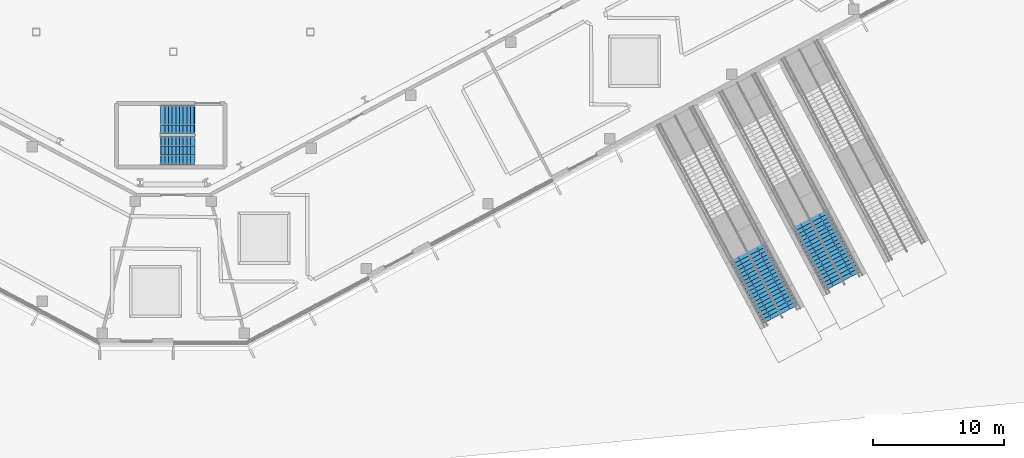
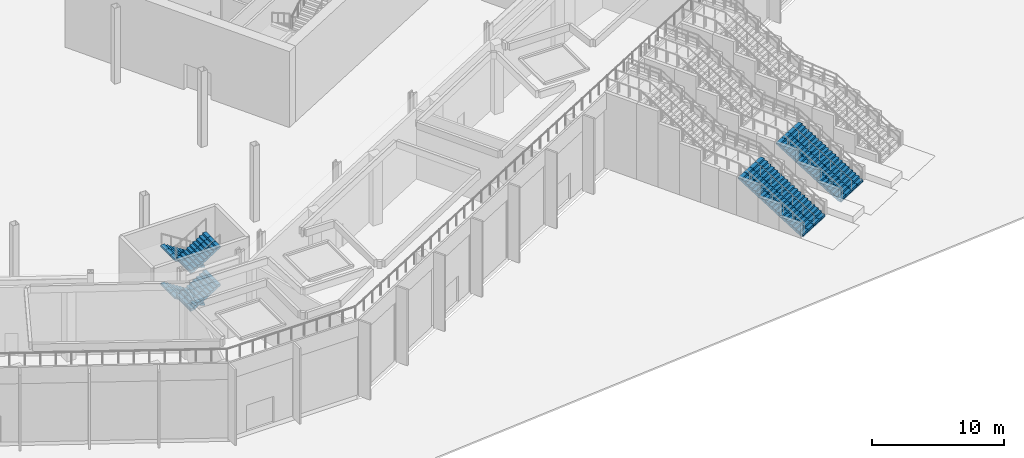
# One storey, part 34 of 57: 6 stair flights, 3 elements without a shape of their own.
"""IFC4 building model written with IfcOpenShell, lengths in metres."""

import ifcopenshell
import ifcopenshell.guid

model = None  # the IFC model being written
_history = None  # IfcOwnerHistory: only IFC2X3 demands one
_inside = {}  # id of a spatial element -> (the spatial element, [elements in it])
_under = {}  # id of a project, library or spatial element -> (it, [spatial elements below it])
_declared = {}  # id of a project -> (the project, [libraries it declares])
_typed = {}  # id of a type object -> (the type object, [elements of that type])
_made_of = {}  # id of a material, layer set ... -> (it, [elements and type objects made of it])


def new_model(schema):
    """Start an empty IFC model of exactly this schema.

    Asked for "IFC4X3", IfcOpenShell would pick the latest addendum, in which some entities
    have other attributes; the version numbers below select the first issue.
    IFC2X3 requires an IfcOwnerHistory on every rooted entity: one is made here for all.
    """
    global model, _history
    if schema == "IFC4X3":
        model = ifcopenshell.file(schema_version=(4, 3, 0, 0))
    else:
        model = ifcopenshell.file(schema=schema)
    _inside.clear()
    _under.clear()
    _declared.clear()
    _typed.clear()
    _made_of.clear()
    _history = None
    if model.schema == "IFC2X3":
        org = make("IfcOrganization", Name="unknown")
        user = make(
            "IfcPersonAndOrganization",
            ThePerson=make("IfcPerson", FamilyName="unknown"),
            TheOrganization=org,
        )
        app = make(
            "IfcApplication",
            ApplicationDeveloper=org,
            Version="unknown",
            ApplicationFullName="unknown",
            ApplicationIdentifier="unknown",
        )
        _history = make(
            "IfcOwnerHistory",
            OwningUser=user,
            OwningApplication=app,
            ChangeAction="ADDED",
            CreationDate=0,
        )
    return model


def make(cls, **values):
    """One entity of the class cls with the attributes given. An attribute that is None is left unset."""
    return model.create_entity(
        cls, **{name: value for name, value in values.items() if value is not None}
    )


def rooted(cls, **values):
    """An entity with a GlobalId (a new one), such as an element, a storey or a relation."""
    return make(cls, GlobalId=ifcopenshell.guid.new(), OwnerHistory=_history, **values)


def si_unit(unit_type, name, prefix=None):
    """IfcSIUnit, for example si_unit("LENGTHUNIT", "METRE", prefix="MILLI")."""
    return make("IfcSIUnit", UnitType=unit_type, Prefix=prefix, Name=name)


def assignment(units):
    """IfcUnitAssignment: the units of a project."""
    return None if units is None else make("IfcUnitAssignment", Units=units)


def point(xyz):
    """IfcCartesianPoint."""
    return None if xyz is None else make("IfcCartesianPoint", Coordinates=xyz)


def direction(xyz):
    """IfcDirection."""
    return None if xyz is None else make("IfcDirection", DirectionRatios=xyz)


def frame(location, z_axis=None, x_axis=None):
    """IfcAxis2Placement3D, a coordinate frame: its origin and axes. An axis left out is left unset."""
    return make(
        "IfcAxis2Placement3D",
        Location=point(location),
        Axis=direction(z_axis),
        RefDirection=direction(x_axis),
    )


def origin():
    """The frame at (0, 0, 0) with its axes left unset."""
    return frame((0.0, 0.0, 0.0))


def place(relative_to, where):
    """IfcLocalPlacement: puts the frame where relative to a parent placement (None: the world)."""
    return make(
        "IfcLocalPlacement", PlacementRelTo=relative_to, RelativePlacement=where
    )


def context(
    kind, dimensions, precision=None, world=None, true_north=None, identifier=None
):
    """IfcGeometricRepresentationContext, for example the 3D "Model" context."""
    return make(
        "IfcGeometricRepresentationContext",
        ContextIdentifier=identifier,
        ContextType=kind,
        CoordinateSpaceDimension=dimensions,
        Precision=precision,
        WorldCoordinateSystem=world,
        TrueNorth=true_north,
    )


def subcontext(parent, identifier, kind, view, scale=None):
    """IfcGeometricRepresentationSubContext, for example "Body" below "Model"."""
    return make(
        "IfcGeometricRepresentationSubContext",
        ContextIdentifier=identifier,
        ContextType=kind,
        ParentContext=parent,
        TargetScale=scale,
        TargetView=view,
    )


def project(units=None, contexts=None):
    """IfcProject with its units and contexts."""
    return rooted(
        "IfcProject",
        Name="project",
        RepresentationContexts=contexts,
        UnitsInContext=assignment(units),
    )


def spatial(cls, under=None, at=None, **own):
    """A site, building, storey or space (cls), placed at a placement, below another one or the project."""
    s = rooted(cls, ObjectPlacement=at, **own)
    if under is not None:
        _under.setdefault(under.id(), (under, []))[1].append(s)
    return s


def polyline(points):
    """IfcPolyline through the points."""
    return make("IfcPolyline", Points=[point(p) for p in points])


def outline(outer, holes=None, kind="AREA"):
    """IfcArbitraryClosedProfileDef: a profile drawn as a closed curve; with holes, ...WithVoids."""
    if holes is None:
        return make("IfcArbitraryClosedProfileDef", ProfileType=kind, OuterCurve=outer)
    return make(
        "IfcArbitraryProfileDefWithVoids",
        ProfileType=kind,
        OuterCurve=outer,
        InnerCurves=holes,
    )


def extrude(swept, where, along, depth):
    """IfcExtrudedAreaSolid: the profile swept, set in the frame where, extruded along a direction by depth."""
    return make(
        "IfcExtrudedAreaSolid",
        SweptArea=swept,
        Position=where,
        ExtrudedDirection=direction(along),
        Depth=depth,
    )


def shape(context_of_items, identifier, shape_type, items):
    """IfcShapeRepresentation: the items that make up one representation, for example the "Body"."""
    return make(
        "IfcShapeRepresentation",
        ContextOfItems=context_of_items,
        RepresentationIdentifier=identifier,
        RepresentationType=shape_type,
        Items=items,
    )


def material(Name=None, Category=None):
    """IfcMaterial."""
    return make("IfcMaterial", Name=Name, Category=Category)


def layer(
    of_material, thickness, ventilated=None, Name=None, Category=None, Priority=None
):
    """IfcMaterialLayer: one layer of a wall or slab, of a material (None: an air gap)."""
    return make(
        "IfcMaterialLayer",
        Material=of_material,
        LayerThickness=thickness,
        IsVentilated=ventilated,
        Name=Name,
        Category=Category,
        Priority=Priority,
    )


def layer_set(layers, Name=None):
    """IfcMaterialLayerSet."""
    return make("IfcMaterialLayerSet", MaterialLayers=layers, LayerSetName=Name)


def made_of(thing, what):
    """Note that an element or type object is made of a material, layer set ...; save() writes the relation."""
    if what is not None:
        _made_of.setdefault(what.id(), (what, []))[1].append(thing)
    return thing


def type_object(cls, material=None, **own):
    """A type object (cls), such as IfcWallType, which elements share."""
    return made_of(rooted(cls, **own), material)


def element(
    cls,
    number,
    at=None,
    inside=None,
    cuts=None,
    type_object=None,
    material=None,
    context=None,
    identifier="Body",
    shape_type=None,
    held_by="IfcProductDefinitionShape",
    body=None,
    shapes=None,
    **own,
):
    """One element of the class cls, such as IfcWall. Its Tag is "e" and its number.

    at: its placement. inside: the storey or other place that contains it. cuts: it is an
    opening in that element (IfcRelVoidsElement). A single representation is given by context,
    identifier, shape_type and body (its items); several are given by shapes. held_by: the class
    of the entity that holds the representations. save() writes the other relations.
    """
    e = rooted(cls, Tag="e%d" % number, ObjectPlacement=at, **own)
    if body is not None:
        shapes = [shape(context, identifier, shape_type, body)]
    if shapes is not None:
        e.Representation = make(held_by, Representations=shapes)
    if inside is not None:
        _inside.setdefault(inside.id(), (inside, []))[1].append(e)
    if cuts is not None:
        rooted(
            "IfcRelVoidsElement", RelatingBuildingElement=cuts, RelatedOpeningElement=e
        )
    if type_object is not None:
        _typed.setdefault(type_object.id(), (type_object, []))[1].append(e)
    return made_of(e, material)


def aggregate(whole, parts):
    """IfcRelAggregates: a whole, such as a stair, and the parts it consists of."""
    return rooted("IfcRelAggregates", RelatingObject=whole, RelatedObjects=parts)


def save(model, path):
    """Write the relations noted so far, then the file.

    IfcRelAggregates (storeys below a building ...), IfcRelContainedInSpatialStructure (elements
    in a storey), IfcRelDefinesByType, IfcRelAssociatesMaterial and IfcRelDeclares: one each for
    every whole, place, type object, material and project.
    """
    for whole, parts in _under.values():
        aggregate(whole, parts)
    for where, things in _inside.values():
        rooted(
            "IfcRelContainedInSpatialStructure",
            RelatedElements=things,
            RelatingStructure=where,
        )
    for kind, things in _typed.values():
        rooted("IfcRelDefinesByType", RelatedObjects=things, RelatingType=kind)
    for what, things in _made_of.values():
        rooted("IfcRelAssociatesMaterial", RelatedObjects=things, RelatingMaterial=what)
    for by, libraries in _declared.values():
        rooted("IfcRelDeclares", RelatingContext=by, RelatedDefinitions=libraries)
    model.write(path)


model = new_model("IFC4")

# Units and contexts
model_context = context("Model", 3, precision=1e-05, world=origin(), true_north=direction((0.0, 1.0)))
body_context = subcontext(model_context, "Body", "Model", "MODEL_VIEW")
ifc_project = project(units=[si_unit("LENGTHUNIT", "METRE"), si_unit("AREAUNIT", "SQUARE_METRE"), si_unit("VOLUMEUNIT", "CUBIC_METRE"), si_unit("PLANEANGLEUNIT", "RADIAN"), si_unit("MASSUNIT", "GRAM", prefix="KILO")], contexts=[model_context])

# Site, building, storey
site_placement = place(None, origin())
site = spatial("IfcSite", under=ifc_project, at=site_placement, CompositionType="ELEMENT")
building_placement = place(site_placement, origin())
building = spatial("IfcBuilding", under=site, at=building_placement, Name="Cormorant Relay Tower", CompositionType="ELEMENT")
storey_placement = place(building_placement, origin())
storey = spatial("IfcBuildingStorey", under=building, at=storey_placement, Name="L00", CompositionType="ELEMENT", Elevation=0.0)

# Stair, stair flights
ifc_material_1 = material(Name="Concrete 40 MPa", Category="concrete")
stair_type_1 = type_object("IfcStairType", Name="Remote exit stair 2200", PredefinedType="HALF_TURN_STAIR", material=ifc_material_1)
stair_1_placement = place(storey_placement, origin())
stair_1 = element("IfcStair", 1, at=stair_1_placement, inside=storey, type_object=stair_type_1, Name="L00 Stair", PredefinedType="HALF_TURN_STAIR")
ifc_material_2 = material(Name="Concrete 40 MPa", Category="concrete")
stair_flight_type_1 = type_object("IfcStairFlightType", Name="Remote exit stair flight 2200", PredefinedType="STRAIGHT", material=ifc_material_2)
stair_flight_1_placement = place(storey_placement, frame((1.60009765625, -17.22509765625, 0.0), z_axis=(0.0, 0.0, 1.0), x_axis=(-1.0, 0.0, 0.0)))
stair_flight_1 = element("IfcStairFlight", 2, at=stair_flight_1_placement, type_object=stair_flight_type_1, Name="RK1 flight 1", NumberOfRisers=10, NumberOfTreads=9, PredefinedType="STRAIGHT", RiserHeight=0.175, TreadLength=0.28, context=body_context, shape_type="SweptSolid", body=[
    extrude(outline(polyline([(-0.050048828125, -0.080078125), (-0.050048828125, 0.0), (0.0, 0.0), (0.0, 0.175048828125), (0.280029296875, 0.175048828125), (0.280029296875, 0.35009765625), (0.56005859375, 0.35009765625), (0.56005859375, 0.52490234375), (0.840087890625, 0.52490234375), (0.840087890625, 0.699951171875), (1.1201171875, 0.699951171875), (1.1201171875, 0.875), (1.39990234375, 0.875), (1.39990234375, 1.050048828125), (1.679931640625, 1.050048828125), (1.679931640625, 1.22509765625), (1.9599609375, 1.22509765625), (1.9599609375, 1.39990234375), (2.239990234375, 1.39990234375), (2.239990234375, 1.574951171875), (2.52001953125, 1.574951171875), (2.570068359375, 1.574951171875), (2.570068359375, 1.398193359375), (2.52001953125, 1.398193359375), (0.28271484375, 0.0), (-0.050048828125, -0.080078125)])), frame((0.0, 1.10009765625, 0.0), z_axis=(0.0, -1.0, 0.0), x_axis=(1.0, 0.0, 0.0)), (0.0, 0.0, 1.0), 0.719970703125),
    extrude(outline(polyline([(-0.050048828125, -0.080078125), (-0.050048828125, 0.0), (0.0, 0.0), (0.0, 0.175048828125), (0.280029296875, 0.175048828125), (0.280029296875, 0.35009765625), (0.56005859375, 0.35009765625), (0.56005859375, 0.52490234375), (0.840087890625, 0.52490234375), (0.840087890625, 0.699951171875), (1.1201171875, 0.699951171875), (1.1201171875, 0.875), (1.39990234375, 0.875), (1.39990234375, 1.050048828125), (1.679931640625, 1.050048828125), (1.679931640625, 1.22509765625), (1.9599609375, 1.22509765625), (1.9599609375, 1.39990234375), (2.239990234375, 1.39990234375), (2.239990234375, 1.574951171875), (2.52001953125, 1.574951171875), (2.570068359375, 1.574951171875), (2.570068359375, 1.398193359375), (2.52001953125, 1.398193359375), (0.28271484375, 0.0), (-0.050048828125, -0.080078125)])), frame((0.0, 0.360107421875, 0.0), z_axis=(0.0, -1.0, 0.0), x_axis=(1.0, 0.0, 0.0)), (0.0, 0.0, 1.0), 0.719970703125),
    extrude(outline(polyline([(-0.050048828125, -0.080078125), (-0.050048828125, 0.0), (0.0, 0.0), (0.0, 0.175048828125), (0.280029296875, 0.175048828125), (0.280029296875, 0.35009765625), (0.56005859375, 0.35009765625), (0.56005859375, 0.52490234375), (0.840087890625, 0.52490234375), (0.840087890625, 0.699951171875), (1.1201171875, 0.699951171875), (1.1201171875, 0.875), (1.39990234375, 0.875), (1.39990234375, 1.050048828125), (1.679931640625, 1.050048828125), (1.679931640625, 1.22509765625), (1.9599609375, 1.22509765625), (1.9599609375, 1.39990234375), (2.239990234375, 1.39990234375), (2.239990234375, 1.574951171875), (2.52001953125, 1.574951171875), (2.570068359375, 1.574951171875), (2.570068359375, 1.398193359375), (2.52001953125, 1.398193359375), (0.28271484375, 0.0), (-0.050048828125, -0.080078125)])), frame((0.0, -0.3798828125, 0.0), z_axis=(0.0, -1.0, 0.0), x_axis=(1.0, 0.0, 0.0)), (0.0, 0.0, 1.0), 0.719970703125),
])
stair_flight_2_placement = place(storey_placement, frame((-0.919921875, -19.574951171875, 1.75), z_axis=(0.0, 0.0, 1.0), x_axis=(1.0, 0.0, 0.0)))
stair_flight_2 = element("IfcStairFlight", 3, at=stair_flight_2_placement, type_object=stair_flight_type_1, Name="RK1 flight 2", NumberOfRisers=10, NumberOfTreads=9, PredefinedType="STRAIGHT", RiserHeight=0.175, TreadLength=0.28, context=body_context, shape_type="SweptSolid", body=[
    extrude(outline(polyline([(-0.050048828125, -0.080078125), (-0.050048828125, 0.0), (0.0, 0.0), (0.0, 0.175048828125), (0.280029296875, 0.175048828125), (0.280029296875, 0.35009765625), (0.56005859375, 0.35009765625), (0.56005859375, 0.52490234375), (0.840087890625, 0.52490234375), (0.840087890625, 0.699951171875), (1.1201171875, 0.699951171875), (1.1201171875, 0.875), (1.39990234375, 0.875), (1.39990234375, 1.050048828125), (1.679931640625, 1.050048828125), (1.679931640625, 1.22509765625), (1.9599609375, 1.22509765625), (1.9599609375, 1.39990234375), (2.239990234375, 1.39990234375), (2.239990234375, 1.574951171875), (2.52001953125, 1.574951171875), (2.570068359375, 1.574951171875), (2.570068359375, 1.398193359375), (2.52001953125, 1.398193359375), (0.28271484375, 0.0), (-0.050048828125, -0.080078125)])), frame((0.0, 1.10009765625, 0.0), z_axis=(0.0, -1.0, 0.0), x_axis=(1.0, 0.0, 0.0)), (0.0, 0.0, 1.0), 0.719970703125),
    extrude(outline(polyline([(-0.050048828125, -0.080078125), (-0.050048828125, 0.0), (0.0, 0.0), (0.0, 0.175048828125), (0.280029296875, 0.175048828125), (0.280029296875, 0.35009765625), (0.56005859375, 0.35009765625), (0.56005859375, 0.52490234375), (0.840087890625, 0.52490234375), (0.840087890625, 0.699951171875), (1.1201171875, 0.699951171875), (1.1201171875, 0.875), (1.39990234375, 0.875), (1.39990234375, 1.050048828125), (1.679931640625, 1.050048828125), (1.679931640625, 1.22509765625), (1.9599609375, 1.22509765625), (1.9599609375, 1.39990234375), (2.239990234375, 1.39990234375), (2.239990234375, 1.574951171875), (2.52001953125, 1.574951171875), (2.570068359375, 1.574951171875), (2.570068359375, 1.398193359375), (2.52001953125, 1.398193359375), (0.28271484375, 0.0), (-0.050048828125, -0.080078125)])), frame((0.0, 0.360107421875, 0.0), z_axis=(0.0, -1.0, 0.0), x_axis=(1.0, 0.0, 0.0)), (0.0, 0.0, 1.0), 0.719970703125),
    extrude(outline(polyline([(-0.050048828125, -0.080078125), (-0.050048828125, 0.0), (0.0, 0.0), (0.0, 0.175048828125), (0.280029296875, 0.175048828125), (0.280029296875, 0.35009765625), (0.56005859375, 0.35009765625), (0.56005859375, 0.52490234375), (0.840087890625, 0.52490234375), (0.840087890625, 0.699951171875), (1.1201171875, 0.699951171875), (1.1201171875, 0.875), (1.39990234375, 0.875), (1.39990234375, 1.050048828125), (1.679931640625, 1.050048828125), (1.679931640625, 1.22509765625), (1.9599609375, 1.22509765625), (1.9599609375, 1.39990234375), (2.239990234375, 1.39990234375), (2.239990234375, 1.574951171875), (2.52001953125, 1.574951171875), (2.570068359375, 1.574951171875), (2.570068359375, 1.398193359375), (2.52001953125, 1.398193359375), (0.28271484375, 0.0), (-0.050048828125, -0.080078125)])), frame((0.0, -0.3798828125, 0.0), z_axis=(0.0, -1.0, 0.0), x_axis=(1.0, 0.0, 0.0)), (0.0, 0.0, 1.0), 0.719970703125),
])
stair_flight_3_placement = place(storey_placement, frame((1.60009765625, -17.22509765625, 3.5), z_axis=(0.0, 0.0, 1.0), x_axis=(-1.0, 0.0, 0.0)))
stair_flight_3 = element("IfcStairFlight", 4, at=stair_flight_3_placement, type_object=stair_flight_type_1, Name="RK1 flight 3", NumberOfRisers=10, NumberOfTreads=9, PredefinedType="STRAIGHT", RiserHeight=0.175, TreadLength=0.28, context=body_context, shape_type="SweptSolid", body=[
    extrude(outline(polyline([(-0.050048828125, -0.080078125), (-0.050048828125, 0.0), (0.0, 0.0), (0.0, 0.175048828125), (0.280029296875, 0.175048828125), (0.280029296875, 0.35009765625), (0.56005859375, 0.35009765625), (0.56005859375, 0.52490234375), (0.840087890625, 0.52490234375), (0.840087890625, 0.699951171875), (1.1201171875, 0.699951171875), (1.1201171875, 0.875), (1.39990234375, 0.875), (1.39990234375, 1.050048828125), (1.679931640625, 1.050048828125), (1.679931640625, 1.22509765625), (1.9599609375, 1.22509765625), (1.9599609375, 1.39990234375), (2.239990234375, 1.39990234375), (2.239990234375, 1.574951171875), (2.52001953125, 1.574951171875), (2.570068359375, 1.574951171875), (2.570068359375, 1.398193359375), (2.52001953125, 1.398193359375), (0.28271484375, 0.0), (-0.050048828125, -0.080078125)])), frame((0.0, 1.10009765625, 0.0), z_axis=(0.0, -1.0, 0.0), x_axis=(1.0, 0.0, 0.0)), (0.0, 0.0, 1.0), 0.719970703125),
    extrude(outline(polyline([(-0.050048828125, -0.080078125), (-0.050048828125, 0.0), (0.0, 0.0), (0.0, 0.175048828125), (0.280029296875, 0.175048828125), (0.280029296875, 0.35009765625), (0.56005859375, 0.35009765625), (0.56005859375, 0.52490234375), (0.840087890625, 0.52490234375), (0.840087890625, 0.699951171875), (1.1201171875, 0.699951171875), (1.1201171875, 0.875), (1.39990234375, 0.875), (1.39990234375, 1.050048828125), (1.679931640625, 1.050048828125), (1.679931640625, 1.22509765625), (1.9599609375, 1.22509765625), (1.9599609375, 1.39990234375), (2.239990234375, 1.39990234375), (2.239990234375, 1.574951171875), (2.52001953125, 1.574951171875), (2.570068359375, 1.574951171875), (2.570068359375, 1.398193359375), (2.52001953125, 1.398193359375), (0.28271484375, 0.0), (-0.050048828125, -0.080078125)])), frame((0.0, 0.360107421875, 0.0), z_axis=(0.0, -1.0, 0.0), x_axis=(1.0, 0.0, 0.0)), (0.0, 0.0, 1.0), 0.719970703125),
    extrude(outline(polyline([(-0.050048828125, -0.080078125), (-0.050048828125, 0.0), (0.0, 0.0), (0.0, 0.175048828125), (0.280029296875, 0.175048828125), (0.280029296875, 0.35009765625), (0.56005859375, 0.35009765625), (0.56005859375, 0.52490234375), (0.840087890625, 0.52490234375), (0.840087890625, 0.699951171875), (1.1201171875, 0.699951171875), (1.1201171875, 0.875), (1.39990234375, 0.875), (1.39990234375, 1.050048828125), (1.679931640625, 1.050048828125), (1.679931640625, 1.22509765625), (1.9599609375, 1.22509765625), (1.9599609375, 1.39990234375), (2.239990234375, 1.39990234375), (2.239990234375, 1.574951171875), (2.52001953125, 1.574951171875), (2.570068359375, 1.574951171875), (2.570068359375, 1.398193359375), (2.52001953125, 1.398193359375), (0.28271484375, 0.0), (-0.050048828125, -0.080078125)])), frame((0.0, -0.3798828125, 0.0), z_axis=(0.0, -1.0, 0.0), x_axis=(1.0, 0.0, 0.0)), (0.0, 0.0, 1.0), 0.719970703125),
])
stair_flight_4_placement = place(storey_placement, frame((-0.919921875, -19.574951171875, 5.25), z_axis=(0.0, 0.0, 1.0), x_axis=(1.0, 0.0, 0.0)))
stair_flight_4 = element("IfcStairFlight", 5, at=stair_flight_4_placement, type_object=stair_flight_type_1, Name="RK1 flight 4", NumberOfRisers=10, NumberOfTreads=9, PredefinedType="STRAIGHT", RiserHeight=0.175, TreadLength=0.28, context=body_context, shape_type="SweptSolid", body=[
    extrude(outline(polyline([(-0.050048828125, -0.080078125), (-0.050048828125, 0.0), (0.0, 0.0), (0.0, 0.175048828125), (0.280029296875, 0.175048828125), (0.280029296875, 0.35009765625), (0.56005859375, 0.35009765625), (0.56005859375, 0.52490234375), (0.840087890625, 0.52490234375), (0.840087890625, 0.699951171875), (1.1201171875, 0.699951171875), (1.1201171875, 0.875), (1.39990234375, 0.875), (1.39990234375, 1.050048828125), (1.679931640625, 1.050048828125), (1.679931640625, 1.22509765625), (1.9599609375, 1.22509765625), (1.9599609375, 1.39990234375), (2.239990234375, 1.39990234375), (2.239990234375, 1.574951171875), (2.52001953125, 1.574951171875), (2.570068359375, 1.574951171875), (2.570068359375, 1.398193359375), (2.52001953125, 1.398193359375), (0.28271484375, 0.0), (-0.050048828125, -0.080078125)])), frame((0.0, 1.10009765625, 0.0), z_axis=(0.0, -1.0, 0.0), x_axis=(1.0, 0.0, 0.0)), (0.0, 0.0, 1.0), 0.719970703125),
    extrude(outline(polyline([(-0.050048828125, -0.080078125), (-0.050048828125, 0.0), (0.0, 0.0), (0.0, 0.175048828125), (0.280029296875, 0.175048828125), (0.280029296875, 0.35009765625), (0.56005859375, 0.35009765625), (0.56005859375, 0.52490234375), (0.840087890625, 0.52490234375), (0.840087890625, 0.699951171875), (1.1201171875, 0.699951171875), (1.1201171875, 0.875), (1.39990234375, 0.875), (1.39990234375, 1.050048828125), (1.679931640625, 1.050048828125), (1.679931640625, 1.22509765625), (1.9599609375, 1.22509765625), (1.9599609375, 1.39990234375), (2.239990234375, 1.39990234375), (2.239990234375, 1.574951171875), (2.52001953125, 1.574951171875), (2.570068359375, 1.574951171875), (2.570068359375, 1.398193359375), (2.52001953125, 1.398193359375), (0.28271484375, 0.0), (-0.050048828125, -0.080078125)])), frame((0.0, 0.360107421875, 0.0), z_axis=(0.0, -1.0, 0.0), x_axis=(1.0, 0.0, 0.0)), (0.0, 0.0, 1.0), 0.719970703125),
    extrude(outline(polyline([(-0.050048828125, -0.080078125), (-0.050048828125, 0.0), (0.0, 0.0), (0.0, 0.175048828125), (0.280029296875, 0.175048828125), (0.280029296875, 0.35009765625), (0.56005859375, 0.35009765625), (0.56005859375, 0.52490234375), (0.840087890625, 0.52490234375), (0.840087890625, 0.699951171875), (1.1201171875, 0.699951171875), (1.1201171875, 0.875), (1.39990234375, 0.875), (1.39990234375, 1.050048828125), (1.679931640625, 1.050048828125), (1.679931640625, 1.22509765625), (1.9599609375, 1.22509765625), (1.9599609375, 1.39990234375), (2.239990234375, 1.39990234375), (2.239990234375, 1.574951171875), (2.52001953125, 1.574951171875), (2.570068359375, 1.574951171875), (2.570068359375, 1.398193359375), (2.52001953125, 1.398193359375), (0.28271484375, 0.0), (-0.050048828125, -0.080078125)])), frame((0.0, -0.3798828125, 0.0), z_axis=(0.0, -1.0, 0.0), x_axis=(1.0, 0.0, 0.0)), (0.0, 0.0, 1.0), 0.719970703125),
])
aggregate(stair_1, [stair_flight_1, stair_flight_2, stair_flight_3, stair_flight_4])

# Stair, stair flight
ifc_material_3 = material(Name="Concrete 40 MPa", Category="concrete")
stair_type_2 = type_object("IfcStairType", Name="Street stair 3200", PredefinedType="STRAIGHT_RUN_STAIR", material=ifc_material_3)
stair_2_placement = place(storey_placement, origin())
stair_2 = element("IfcStair", 6, at=stair_2_placement, inside=storey, type_object=stair_type_2, Name="Street stair 1A", PredefinedType="STRAIGHT_RUN_STAIR")
ifc_material_4 = material(Name="Concrete 40 MPa", Category="concrete")
ifc_layer = layer(ifc_material_4, 0.199951171875)
ifc_layer_set = layer_set([ifc_layer], Name="Street stair flight")
stair_flight_type_2 = type_object("IfcStairFlightType", Name="Street stair flight", PredefinedType="STRAIGHT", material=ifc_layer_set)
stair_flight_5_placement = place(storey_placement, frame((46.670654296875, -32.379638671875, 0.0), z_axis=(0.0, 0.0, 1.0), x_axis=(-0.469471562786, 0.882947592859, 0.0)))
stair_flight_5 = element("IfcStairFlight", 7, at=stair_flight_5_placement, type_object=stair_flight_type_2, Name="PST1 flight 2", NumberOfRisers=20, NumberOfTreads=19, PredefinedType="STRAIGHT", RiserHeight=0.175, TreadLength=0.3, context=body_context, shape_type="SweptSolid", body=[
    extrude(outline(polyline([(-0.050048828125, -0.080078125), (-0.050048828125, 0.0), (0.0, 0.0), (0.0, 0.175048828125), (0.300048828125, 0.175048828125), (0.300048828125, 0.35009765625), (0.60009765625, 0.35009765625), (0.60009765625, 0.52490234375), (0.89990234375, 0.52490234375), (0.89990234375, 0.699951171875), (1.199951171875, 0.699951171875), (1.199951171875, 0.875), (1.5, 0.875), (1.5, 1.050048828125), (1.800048828125, 1.050048828125), (1.800048828125, 1.22509765625), (2.10009765625, 1.22509765625), (2.10009765625, 1.39990234375), (2.39990234375, 1.39990234375), (2.39990234375, 1.574951171875), (2.699951171875, 1.574951171875), (2.699951171875, 1.75), (3.0, 1.75), (3.0, 1.925048828125), (3.300048828125, 1.925048828125), (3.300048828125, 2.10009765625), (3.60009765625, 2.10009765625), (3.60009765625, 2.27490234375), (3.89990234375, 2.27490234375), (3.89990234375, 2.449951171875), (4.199951171875, 2.449951171875), (4.199951171875, 2.625), (4.5, 2.625), (4.5, 2.800048828125), (4.800048828125, 2.800048828125), (4.800048828125, 2.97509765625), (5.10009765625, 2.97509765625), (5.10009765625, 3.14990234375), (5.39990234375, 3.14990234375), (5.39990234375, 3.324951171875), (5.699951171875, 3.324951171875), (5.75, 3.324951171875), (5.75, 3.1513671875), (5.699951171875, 3.1513671875), (0.297607421875, 0.0), (-0.050048828125, -0.080078125)])), frame((0.0, 1.60009765625, 0.0), z_axis=(0.0, -1.0, 0.0), x_axis=(1.0, 0.0, 0.0)), (0.0, 0.0, 1.0), 0.784912109375),
    extrude(outline(polyline([(-0.050048828125, -0.080078125), (-0.050048828125, 0.0), (0.0, 0.0), (0.0, 0.175048828125), (0.300048828125, 0.175048828125), (0.300048828125, 0.35009765625), (0.60009765625, 0.35009765625), (0.60009765625, 0.52490234375), (0.89990234375, 0.52490234375), (0.89990234375, 0.699951171875), (1.199951171875, 0.699951171875), (1.199951171875, 0.875), (1.5, 0.875), (1.5, 1.050048828125), (1.800048828125, 1.050048828125), (1.800048828125, 1.22509765625), (2.10009765625, 1.22509765625), (2.10009765625, 1.39990234375), (2.39990234375, 1.39990234375), (2.39990234375, 1.574951171875), (2.699951171875, 1.574951171875), (2.699951171875, 1.75), (3.0, 1.75), (3.0, 1.925048828125), (3.300048828125, 1.925048828125), (3.300048828125, 2.10009765625), (3.60009765625, 2.10009765625), (3.60009765625, 2.27490234375), (3.89990234375, 2.27490234375), (3.89990234375, 2.449951171875), (4.199951171875, 2.449951171875), (4.199951171875, 2.625), (4.5, 2.625), (4.5, 2.800048828125), (4.800048828125, 2.800048828125), (4.800048828125, 2.97509765625), (5.10009765625, 2.97509765625), (5.10009765625, 3.14990234375), (5.39990234375, 3.14990234375), (5.39990234375, 3.324951171875), (5.699951171875, 3.324951171875), (5.75, 3.324951171875), (5.75, 3.1513671875), (5.699951171875, 3.1513671875), (0.297607421875, 0.0), (-0.050048828125, -0.080078125)])), frame((0.0, 0.795166015625, 0.0), z_axis=(0.0, -1.0, 0.0), x_axis=(1.0, 0.0, 0.0)), (0.0, 0.0, 1.0), 0.784912109375),
    extrude(outline(polyline([(-0.050048828125, -0.080078125), (-0.050048828125, 0.0), (0.0, 0.0), (0.0, 0.175048828125), (0.300048828125, 0.175048828125), (0.300048828125, 0.35009765625), (0.60009765625, 0.35009765625), (0.60009765625, 0.52490234375), (0.89990234375, 0.52490234375), (0.89990234375, 0.699951171875), (1.199951171875, 0.699951171875), (1.199951171875, 0.875), (1.5, 0.875), (1.5, 1.050048828125), (1.800048828125, 1.050048828125), (1.800048828125, 1.22509765625), (2.10009765625, 1.22509765625), (2.10009765625, 1.39990234375), (2.39990234375, 1.39990234375), (2.39990234375, 1.574951171875), (2.699951171875, 1.574951171875), (2.699951171875, 1.75), (3.0, 1.75), (3.0, 1.925048828125), (3.300048828125, 1.925048828125), (3.300048828125, 2.10009765625), (3.60009765625, 2.10009765625), (3.60009765625, 2.27490234375), (3.89990234375, 2.27490234375), (3.89990234375, 2.449951171875), (4.199951171875, 2.449951171875), (4.199951171875, 2.625), (4.5, 2.625), (4.5, 2.800048828125), (4.800048828125, 2.800048828125), (4.800048828125, 2.97509765625), (5.10009765625, 2.97509765625), (5.10009765625, 3.14990234375), (5.39990234375, 3.14990234375), (5.39990234375, 3.324951171875), (5.699951171875, 3.324951171875), (5.75, 3.324951171875), (5.75, 3.1513671875), (5.699951171875, 3.1513671875), (0.297607421875, 0.0), (-0.050048828125, -0.080078125)])), frame((0.0, -0.009765625, 0.0), z_axis=(0.0, -1.0, 0.0), x_axis=(1.0, 0.0, 0.0)), (0.0, 0.0, 1.0), 0.784912109375),
    extrude(outline(polyline([(-0.050048828125, -0.080078125), (-0.050048828125, 0.0), (0.0, 0.0), (0.0, 0.175048828125), (0.300048828125, 0.175048828125), (0.300048828125, 0.35009765625), (0.60009765625, 0.35009765625), (0.60009765625, 0.52490234375), (0.89990234375, 0.52490234375), (0.89990234375, 0.699951171875), (1.199951171875, 0.699951171875), (1.199951171875, 0.875), (1.5, 0.875), (1.5, 1.050048828125), (1.800048828125, 1.050048828125), (1.800048828125, 1.22509765625), (2.10009765625, 1.22509765625), (2.10009765625, 1.39990234375), (2.39990234375, 1.39990234375), (2.39990234375, 1.574951171875), (2.699951171875, 1.574951171875), (2.699951171875, 1.75), (3.0, 1.75), (3.0, 1.925048828125), (3.300048828125, 1.925048828125), (3.300048828125, 2.10009765625), (3.60009765625, 2.10009765625), (3.60009765625, 2.27490234375), (3.89990234375, 2.27490234375), (3.89990234375, 2.449951171875), (4.199951171875, 2.449951171875), (4.199951171875, 2.625), (4.5, 2.625), (4.5, 2.800048828125), (4.800048828125, 2.800048828125), (4.800048828125, 2.97509765625), (5.10009765625, 2.97509765625), (5.10009765625, 3.14990234375), (5.39990234375, 3.14990234375), (5.39990234375, 3.324951171875), (5.699951171875, 3.324951171875), (5.75, 3.324951171875), (5.75, 3.1513671875), (5.699951171875, 3.1513671875), (0.297607421875, 0.0), (-0.050048828125, -0.080078125)])), frame((0.0, -0.814697265625, 0.0), z_axis=(0.0, -1.0, 0.0), x_axis=(1.0, 0.0, 0.0)), (0.0, 0.0, 1.0), 0.784912109375),
])
aggregate(stair_2, [stair_flight_5])

stair_3_placement = place(storey_placement, origin())
stair_3 = element("IfcStair", 8, at=stair_3_placement, inside=storey, type_object=stair_type_2, Name="Street stair 1B", PredefinedType="STRAIGHT_RUN_STAIR")
stair_flight_6_placement = place(storey_placement, frame((51.4384765625, -29.844482421875, 0.0), z_axis=(0.0, 0.0, 1.0), x_axis=(-0.469471562786, 0.882947592859, 0.0)))
stair_flight_6 = element("IfcStairFlight", 9, at=stair_flight_6_placement, type_object=stair_flight_type_2, Name="PST1 flight 2", NumberOfRisers=20, NumberOfTreads=19, PredefinedType="STRAIGHT", RiserHeight=0.175, TreadLength=0.3, context=body_context, shape_type="SweptSolid", body=[
    extrude(outline(polyline([(-0.050048828125, -0.080078125), (-0.050048828125, 0.0), (0.0, 0.0), (0.0, 0.175048828125), (0.300048828125, 0.175048828125), (0.300048828125, 0.35009765625), (0.60009765625, 0.35009765625), (0.60009765625, 0.52490234375), (0.89990234375, 0.52490234375), (0.89990234375, 0.699951171875), (1.199951171875, 0.699951171875), (1.199951171875, 0.875), (1.5, 0.875), (1.5, 1.050048828125), (1.800048828125, 1.050048828125), (1.800048828125, 1.22509765625), (2.10009765625, 1.22509765625), (2.10009765625, 1.39990234375), (2.39990234375, 1.39990234375), (2.39990234375, 1.574951171875), (2.699951171875, 1.574951171875), (2.699951171875, 1.75), (3.0, 1.75), (3.0, 1.925048828125), (3.300048828125, 1.925048828125), (3.300048828125, 2.10009765625), (3.60009765625, 2.10009765625), (3.60009765625, 2.27490234375), (3.89990234375, 2.27490234375), (3.89990234375, 2.449951171875), (4.199951171875, 2.449951171875), (4.199951171875, 2.625), (4.5, 2.625), (4.5, 2.800048828125), (4.800048828125, 2.800048828125), (4.800048828125, 2.97509765625), (5.10009765625, 2.97509765625), (5.10009765625, 3.14990234375), (5.39990234375, 3.14990234375), (5.39990234375, 3.324951171875), (5.699951171875, 3.324951171875), (5.75, 3.324951171875), (5.75, 3.1513671875), (5.699951171875, 3.1513671875), (0.297607421875, 0.0), (-0.050048828125, -0.080078125)])), frame((0.0, 1.60009765625, 0.0), z_axis=(0.0, -1.0, 0.0), x_axis=(1.0, 0.0, 0.0)), (0.0, 0.0, 1.0), 0.784912109375),
    extrude(outline(polyline([(-0.050048828125, -0.080078125), (-0.050048828125, 0.0), (0.0, 0.0), (0.0, 0.175048828125), (0.300048828125, 0.175048828125), (0.300048828125, 0.35009765625), (0.60009765625, 0.35009765625), (0.60009765625, 0.52490234375), (0.89990234375, 0.52490234375), (0.89990234375, 0.699951171875), (1.199951171875, 0.699951171875), (1.199951171875, 0.875), (1.5, 0.875), (1.5, 1.050048828125), (1.800048828125, 1.050048828125), (1.800048828125, 1.22509765625), (2.10009765625, 1.22509765625), (2.10009765625, 1.39990234375), (2.39990234375, 1.39990234375), (2.39990234375, 1.574951171875), (2.699951171875, 1.574951171875), (2.699951171875, 1.75), (3.0, 1.75), (3.0, 1.925048828125), (3.300048828125, 1.925048828125), (3.300048828125, 2.10009765625), (3.60009765625, 2.10009765625), (3.60009765625, 2.27490234375), (3.89990234375, 2.27490234375), (3.89990234375, 2.449951171875), (4.199951171875, 2.449951171875), (4.199951171875, 2.625), (4.5, 2.625), (4.5, 2.800048828125), (4.800048828125, 2.800048828125), (4.800048828125, 2.97509765625), (5.10009765625, 2.97509765625), (5.10009765625, 3.14990234375), (5.39990234375, 3.14990234375), (5.39990234375, 3.324951171875), (5.699951171875, 3.324951171875), (5.75, 3.324951171875), (5.75, 3.1513671875), (5.699951171875, 3.1513671875), (0.297607421875, 0.0), (-0.050048828125, -0.080078125)])), frame((0.0, 0.795166015625, 0.0), z_axis=(0.0, -1.0, 0.0), x_axis=(1.0, 0.0, 0.0)), (0.0, 0.0, 1.0), 0.784912109375),
    extrude(outline(polyline([(-0.050048828125, -0.080078125), (-0.050048828125, 0.0), (0.0, 0.0), (0.0, 0.175048828125), (0.300048828125, 0.175048828125), (0.300048828125, 0.35009765625), (0.60009765625, 0.35009765625), (0.60009765625, 0.52490234375), (0.89990234375, 0.52490234375), (0.89990234375, 0.699951171875), (1.199951171875, 0.699951171875), (1.199951171875, 0.875), (1.5, 0.875), (1.5, 1.050048828125), (1.800048828125, 1.050048828125), (1.800048828125, 1.22509765625), (2.10009765625, 1.22509765625), (2.10009765625, 1.39990234375), (2.39990234375, 1.39990234375), (2.39990234375, 1.574951171875), (2.699951171875, 1.574951171875), (2.699951171875, 1.75), (3.0, 1.75), (3.0, 1.925048828125), (3.300048828125, 1.925048828125), (3.300048828125, 2.10009765625), (3.60009765625, 2.10009765625), (3.60009765625, 2.27490234375), (3.89990234375, 2.27490234375), (3.89990234375, 2.449951171875), (4.199951171875, 2.449951171875), (4.199951171875, 2.625), (4.5, 2.625), (4.5, 2.800048828125), (4.800048828125, 2.800048828125), (4.800048828125, 2.97509765625), (5.10009765625, 2.97509765625), (5.10009765625, 3.14990234375), (5.39990234375, 3.14990234375), (5.39990234375, 3.324951171875), (5.699951171875, 3.324951171875), (5.75, 3.324951171875), (5.75, 3.1513671875), (5.699951171875, 3.1513671875), (0.297607421875, 0.0), (-0.050048828125, -0.080078125)])), frame((0.0, -0.009765625, 0.0), z_axis=(0.0, -1.0, 0.0), x_axis=(1.0, 0.0, 0.0)), (0.0, 0.0, 1.0), 0.784912109375),
    extrude(outline(polyline([(-0.050048828125, -0.080078125), (-0.050048828125, 0.0), (0.0, 0.0), (0.0, 0.175048828125), (0.300048828125, 0.175048828125), (0.300048828125, 0.35009765625), (0.60009765625, 0.35009765625), (0.60009765625, 0.52490234375), (0.89990234375, 0.52490234375), (0.89990234375, 0.699951171875), (1.199951171875, 0.699951171875), (1.199951171875, 0.875), (1.5, 0.875), (1.5, 1.050048828125), (1.800048828125, 1.050048828125), (1.800048828125, 1.22509765625), (2.10009765625, 1.22509765625), (2.10009765625, 1.39990234375), (2.39990234375, 1.39990234375), (2.39990234375, 1.574951171875), (2.699951171875, 1.574951171875), (2.699951171875, 1.75), (3.0, 1.75), (3.0, 1.925048828125), (3.300048828125, 1.925048828125), (3.300048828125, 2.10009765625), (3.60009765625, 2.10009765625), (3.60009765625, 2.27490234375), (3.89990234375, 2.27490234375), (3.89990234375, 2.449951171875), (4.199951171875, 2.449951171875), (4.199951171875, 2.625), (4.5, 2.625), (4.5, 2.800048828125), (4.800048828125, 2.800048828125), (4.800048828125, 2.97509765625), (5.10009765625, 2.97509765625), (5.10009765625, 3.14990234375), (5.39990234375, 3.14990234375), (5.39990234375, 3.324951171875), (5.699951171875, 3.324951171875), (5.75, 3.324951171875), (5.75, 3.1513671875), (5.699951171875, 3.1513671875), (0.297607421875, 0.0), (-0.050048828125, -0.080078125)])), frame((0.0, -0.814697265625, 0.0), z_axis=(0.0, -1.0, 0.0), x_axis=(1.0, 0.0, 0.0)), (0.0, 0.0, 1.0), 0.784912109375),
])
aggregate(stair_3, [stair_flight_6])

save(model, "model.ifc")
